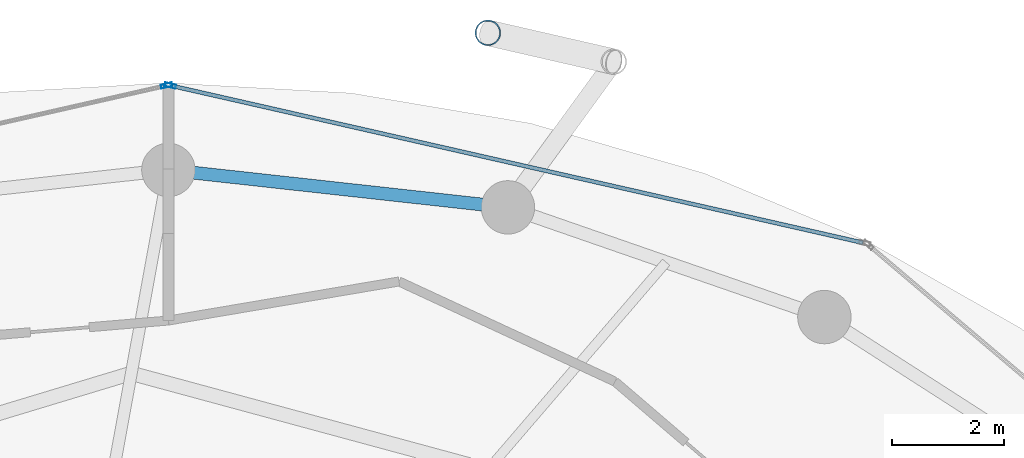
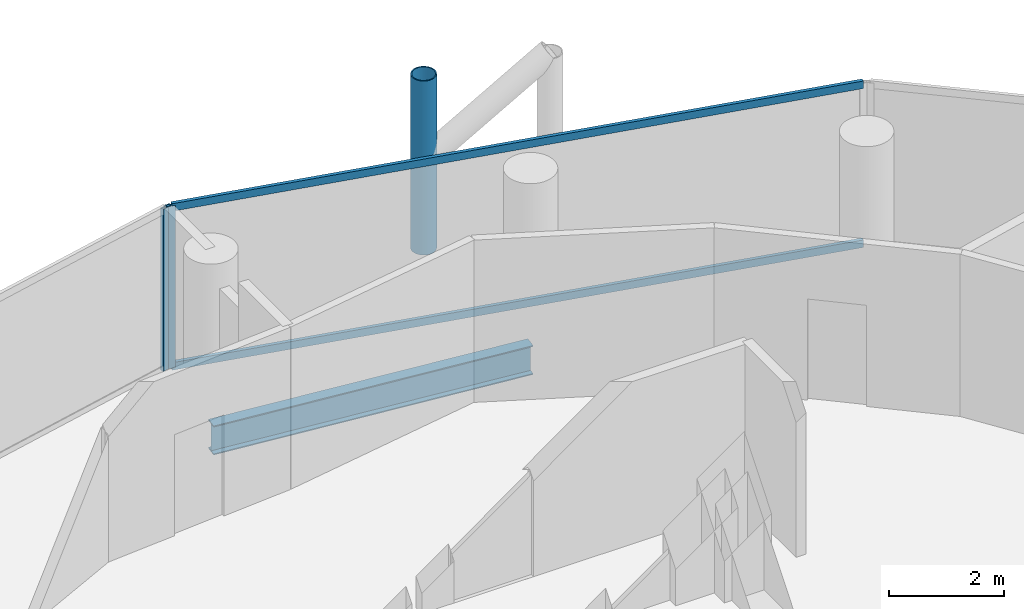
# One storey, part 17 of 26: 5 members, 1 beam, 2 elements without a shape of their own.
"""IFC4 building model written with IfcOpenShell, lengths in metres."""

from ifc_helpers import new_model, si_unit, direction, frame, origin, origin_2d, place, context, subcontext, project, spatial, hollow_rectangle, hollow_circle, i_section, extrude, material, layer, layer_set, material_profile, profile_set, type_object, element, aggregate, save


model = new_model("IFC4")

# Units and contexts
model_context = context("Model", 3, precision=1e-05, world=origin(), true_north=direction((0.0, 1.0)))
body_context = subcontext(model_context, "Body", "Model", "MODEL_VIEW")
ifc_project = project(units=[si_unit("LENGTHUNIT", "METRE"), si_unit("AREAUNIT", "SQUARE_METRE"), si_unit("VOLUMEUNIT", "CUBIC_METRE"), si_unit("PLANEANGLEUNIT", "RADIAN"), si_unit("MASSUNIT", "GRAM", prefix="KILO")], contexts=[model_context])

# Site, building, storey
site_placement = place(None, origin())
site = spatial("IfcSite", under=ifc_project, at=site_placement, CompositionType="ELEMENT")
building_placement = place(site_placement, origin())
building = spatial("IfcBuilding", under=site, at=building_placement, Name="Nuhasar Tower", CompositionType="ELEMENT")
storey_placement = place(building_placement, frame((0.0, 0.0, 181.14990234375)))
storey = spatial("IfcBuildingStorey", under=building, at=storey_placement, Name="L44", CompositionType="ELEMENT", Elevation=181.14990234375)

# Beam
ifc_material_1 = material(Name="Steel S355", Category="steel")
ifc_material_profile_1 = material_profile(ifc_material_1, i_section(OverallWidth=0.22998046875, OverallDepth=0.616943359375, WebThickness=0.01318359375, FlangeThickness=0.022216796875, at=origin_2d()), Name="W24X94")
ifc_profile_set_1 = profile_set([ifc_material_profile_1], Name="Steel S355")
beam_type = type_object("IfcBeamType", Name="BM-RING-W24X94", PredefinedType="SPANDREL", material=ifc_profile_set_1)
beam_placement = place(storey_placement, frame((45.04296875, 45.68408203125, -0.558837890625), z_axis=(-0.993981289157, 0.109549974015, 0.0), x_axis=(-0.109549974015, -0.993981289157, 0.0)))
element("IfcBeam", 1, at=beam_placement, inside=storey, type_object=beam_type, Name="L44 Perimeter Ring Spandrel 06", PredefinedType="SPANDREL", context=body_context, shape_type="SweptSolid", body=[
    extrude(i_section(OverallWidth=0.22998046875, OverallDepth=0.616943359375, WebThickness=0.01318359375, FlangeThickness=0.022216796875, at=origin_2d()), origin(), (0.0, 0.0, 1.0), 6.07958984375),
])

# Curtain wall, member
ifc_material_2 = material(Name="Aluminium 6063-T6", Category="aluminium")
ifc_layer = layer(ifc_material_2, 0.199951171875)
ifc_layer_set = layer_set([ifc_layer], Name="Aluminium 6063-T6")
curtain_wall_type = type_object("IfcCurtainWallType", Name="CW-Z2-HTL", PredefinedType="NOTDEFINED", material=ifc_layer_set)
curtain_wall_1_placement = place(storey_placement, origin())
curtain_wall_1 = element("IfcCurtainWall", 2, at=curtain_wall_1_placement, inside=storey, type_object=curtain_wall_type, Name="L44 Unitised Curtain Wall 03", PredefinedType="NOTDEFINED")
ifc_material_profile_2 = material_profile(ifc_material_2, hollow_rectangle(XDim=0.070068359375, YDim=0.199951171875, WallThickness=0.0048828125, at=origin_2d()), Name="CWM-3")
ifc_profile_set_2 = profile_set([ifc_material_profile_2], Name="Aluminium 6063-T6")
member_type_1 = type_object("IfcMemberType", Name="CW-MUL-S3", PredefinedType="MULLION", material=ifc_profile_set_2)
member_1_placement = place(storey_placement, frame((39.0341796875, 47.852294921875, 0.0), z_axis=(0.0, 0.0, 1.0), x_axis=(-0.22139729566, -0.975183694221, 0.0)))
member_1 = element("IfcMember", 3, at=member_1_placement, type_object=member_type_1, Name="CW-Z2 mullion 2", PredefinedType="MULLION", context=body_context, shape_type="SweptSolid", body=[
    extrude(hollow_rectangle(XDim=0.070068359375, YDim=0.199951171875, WallThickness=0.0048828125, at=origin_2d()), origin(), (0.0, 0.0, 1.0), 3.4501953125),
])

curtain_wall_2_placement = place(storey_placement, origin())
curtain_wall_2 = element("IfcCurtainWall", 4, at=curtain_wall_2_placement, inside=storey, type_object=curtain_wall_type, Name="L44 Unitised Curtain Wall 04", PredefinedType="NOTDEFINED")
member_2_placement = place(storey_placement, frame((38.9658203125, 47.852294921875, 0.0), z_axis=(0.0, 0.0, 1.0), x_axis=(0.22139729566, -0.975183694221, 0.0)))
member_2 = element("IfcMember", 5, at=member_2_placement, type_object=member_type_1, Name="CW-Z2 mullion 1", PredefinedType="MULLION", context=body_context, shape_type="SweptSolid", body=[
    extrude(hollow_rectangle(XDim=0.070068359375, YDim=0.199951171875, WallThickness=0.0048828125, at=origin_2d()), origin(), (0.0, 0.0, 1.0), 3.4501953125),
])
aggregate(curtain_wall_2, [member_2])

# Member
ifc_material_profile_3 = material_profile(ifc_material_2, hollow_rectangle(XDim=0.070068359375, YDim=0.159912109375, WallThickness=0.00439453125, at=origin_2d()), Name="CWT-3")
ifc_profile_set_3 = profile_set([ifc_material_profile_3], Name="Aluminium 6063-T6")
member_type_2 = type_object("IfcMemberType", Name="CW-TRN-S3", PredefinedType="USERDEFINED", material=ifc_profile_set_3)
member_3_placement = place(storey_placement, frame((51.36181640625, 45.053466796875, 0.03515625), z_axis=(-0.975183434528, 0.221398439519, 0.0), x_axis=(-0.221398439519, -0.975183434528, 0.0)))
member_3 = element("IfcMember", 6, at=member_3_placement, type_object=member_type_2, Name="CW-Z2 transom 1.1", ObjectType="TRANSOM", PredefinedType="USERDEFINED", context=body_context, shape_type="SweptSolid", body=[
    extrude(hollow_rectangle(XDim=0.070068359375, YDim=0.159912109375, WallThickness=0.00439453125, at=origin_2d()), origin(), (0.0, 0.0, 1.0), 12.606201171875),
])

member_4_placement = place(storey_placement, frame((51.36181640625, 45.053466796875, 3.4150390625), z_axis=(-0.975183434528, 0.221398439519, 0.0), x_axis=(-0.221398439519, -0.975183434528, 0.0)))
member_4 = element("IfcMember", 7, at=member_4_placement, type_object=member_type_2, Name="CW-Z2 transom 1.2", ObjectType="TRANSOM", PredefinedType="USERDEFINED", context=body_context, shape_type="SweptSolid", body=[
    extrude(hollow_rectangle(XDim=0.070068359375, YDim=0.159912109375, WallThickness=0.00439453125, at=origin_2d()), origin(), (0.0, 0.0, 1.0), 12.606201171875),
])

aggregate(curtain_wall_1, [member_1, member_3, member_4])

ifc_material_3 = material(Name="Steel S460", Category="steel")
ifc_material_profile_4 = material_profile(ifc_material_3, hollow_circle(Radius=0.228515625, WallThickness=0.022216796875, at=origin_2d()), Name="HSS457X22.2")
ifc_profile_set_4 = profile_set([ifc_material_profile_4], Name="Steel S460")
member_type_3 = type_object("IfcMemberType", Name="EXO-BRONZE-457", PredefinedType="BRACE", material=ifc_profile_set_4)
member_5_placement = place(storey_placement, frame((44.68603515625, 48.7900390625, 0.0), z_axis=(0.0, 0.0, 1.0), x_axis=(1.0, 0.0, 0.0)))
element("IfcMember", 8, at=member_5_placement, inside=storey, type_object=member_type_3, Name="L44 Exoskeleton Chord Column EC-03B", PredefinedType="BRACE", context=body_context, shape_type="SweptSolid", body=[
    extrude(hollow_circle(Radius=0.228515625, WallThickness=0.022216796875, at=origin_2d()), origin(), (0.0, 0.0, 1.0), 3.7001953125),
])

save(model, "model.ifc")
